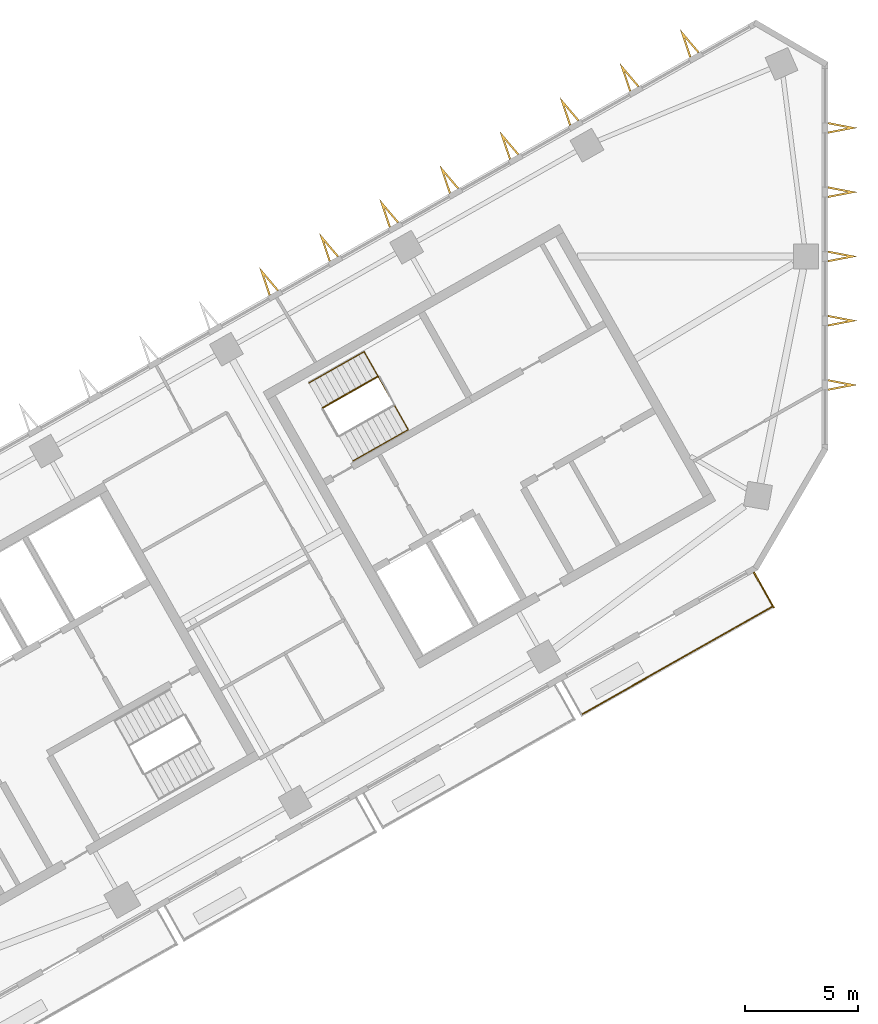
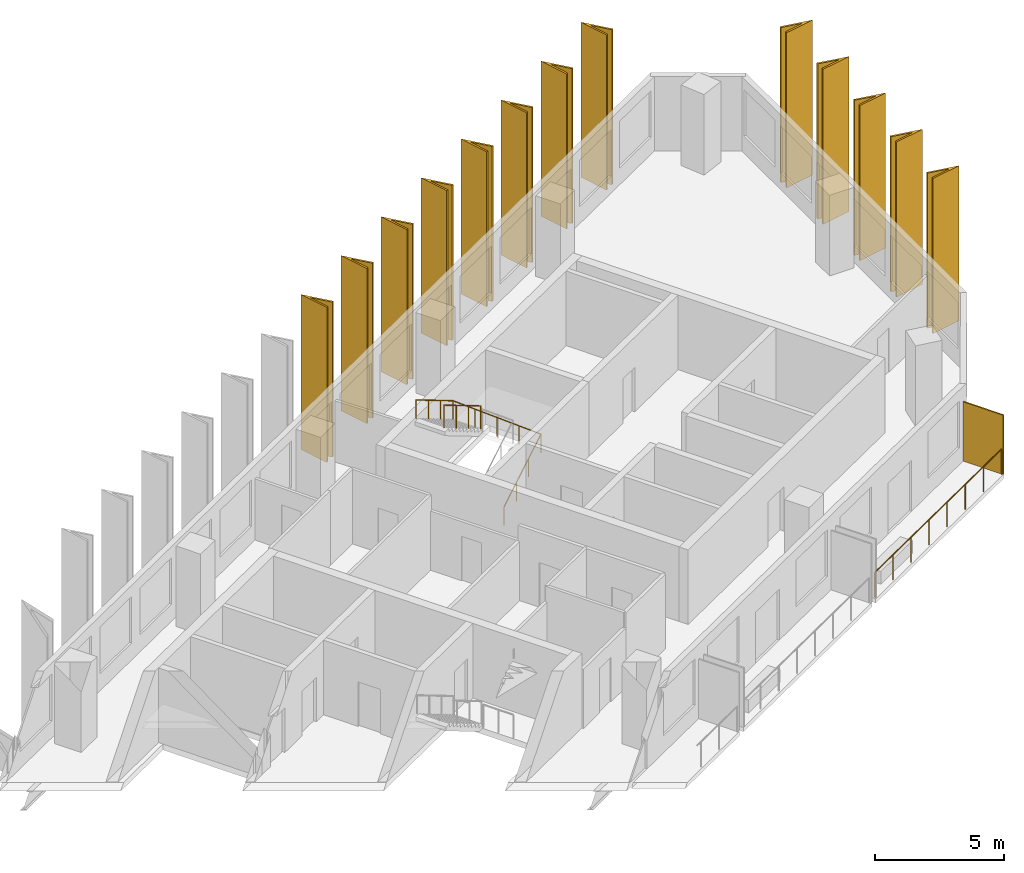
# One storey, part 7 of 8: 14 shading devices, 3 railings.
"""IFC4 building model written with IfcOpenShell, lengths in metres."""

from ifc_helpers import new_model, si_unit, direction, frame, origin, origin_2d, place, context, subcontext, project, spatial, polyline, rectangle, circle, outline, extrude, material, layer, layer_set, type_object, element, save


model = new_model("IFC4")

# Units and contexts
model_context = context("Model", 3, precision=1e-05, world=origin(), true_north=direction((0.0, 1.0)))
body_context = subcontext(model_context, "Body", "Model", "MODEL_VIEW")
ifc_project = project(units=[si_unit("LENGTHUNIT", "METRE"), si_unit("AREAUNIT", "SQUARE_METRE"), si_unit("VOLUMEUNIT", "CUBIC_METRE"), si_unit("PLANEANGLEUNIT", "RADIAN"), si_unit("MASSUNIT", "GRAM", prefix="KILO")], contexts=[model_context])

# Site, building, storey
site_placement = place(None, origin())
site = spatial("IfcSite", under=ifc_project, at=site_placement, CompositionType="ELEMENT")
building_placement = place(site_placement, origin())
building = spatial("IfcBuilding", under=site, at=building_placement, Name="Binnacle Exchange Tower", CompositionType="ELEMENT")
storey_placement = place(building_placement, frame((0.0, 0.0, 270.300048828125)))
storey = spatial("IfcBuildingStorey", under=building, at=storey_placement, Name="L60", CompositionType="ELEMENT", Elevation=270.300048828125)

# Railing
ifc_material_1 = material(Name="Bronze anodised aluminium frame", Category="aluminium")
railing_type_1 = type_object("IfcRailingType", Name="GUARD 1200", PredefinedType="GUARDRAIL", material=ifc_material_1)
railing_1_placement = place(storey_placement, frame((-10.7177734375, 39.81640625, 0.0)))
element("IfcRailing", 1, at=railing_1_placement, inside=storey, type_object=railing_type_1, Name="Balcony guard H07-B03 L60", PredefinedType="GUARDRAIL", context=body_context, shape_type="SweptSolid", body=[
    extrude(circle(Radius=0.02392578125, at=origin_2d()), frame((0.0, 0.0, 1.17578125), z_axis=(0.870353035673, 0.492428262079, 0.0), x_axis=(-0.492428262079, 0.870353035673, 0.0)), (0.0, 0.0, 1.0), 9.64794921875),
    extrude(circle(Radius=0.02099609375, at=origin_2d()), origin(), (0.0, 0.0, 1.0), 1.15185546875),
    extrude(circle(Radius=0.02099609375, at=origin_2d()), frame((1.19970703125, 0.6787109375, 0.0)), (0.0, 0.0, 1.0), 1.15185546875),
    extrude(circle(Radius=0.02099609375, at=origin_2d()), frame((2.399169921875, 1.357421875, 0.0)), (0.0, 0.0, 1.0), 1.15185546875),
    extrude(circle(Radius=0.02099609375, at=origin_2d()), frame((3.598876953125, 2.0361328125, 0.0)), (0.0, 0.0, 1.0), 1.15185546875),
    extrude(circle(Radius=0.02099609375, at=origin_2d()), frame((4.79833984375, 2.71484375, 0.0)), (0.0, 0.0, 1.0), 1.15185546875),
    extrude(circle(Radius=0.02099609375, at=origin_2d()), frame((5.998046875, 3.3935546875, 0.0)), (0.0, 0.0, 1.0), 1.15185546875),
    extrude(circle(Radius=0.02099609375, at=origin_2d()), frame((7.197509765625, 4.072265625, 0.0)), (0.0, 0.0, 1.0), 1.15185546875),
    extrude(circle(Radius=0.02099609375, at=origin_2d()), frame((8.397216796875, 4.7509765625, 0.0)), (0.0, 0.0, 1.0), 1.15185546875),
])

# Shading device
ifc_material_2 = material(Name="Bronze aluminium louvre", Category="aluminium")
ifc_layer = layer(ifc_material_2, 0.06005859375)
ifc_layer_set = layer_set([ifc_layer], Name="PLANTED SCREEN 60x2800")
shading_device_type_1 = type_object("IfcShadingDeviceType", Name="PLANTED SCREEN 60x2800", PredefinedType="USERDEFINED", material=ifc_layer_set)
shading_device_1_placement = place(storey_placement, frame((-2.697998046875, 45.2958984375, 0.0), z_axis=(0.0, 0.0, 1.0), x_axis=(0.87035569594, 0.492423560103, 0.0)))
element("IfcShadingDevice", 2, at=shading_device_1_placement, inside=storey, type_object=shading_device_type_1, Name="Planted screen H07-B03b L60", ObjectType="SCREEN", PredefinedType="USERDEFINED", context=body_context, shape_type="SweptSolid", body=[
    extrude(rectangle(XDim=0.06005859375, YDim=1.800048828125, at=origin_2d()), origin(), (0.0, 0.0, 1.0), 2.800048828125),
])

# Railings
ifc_material_3 = material(Name="Steel guard rail", Category="steel")
railing_type_2 = type_object("IfcRailingType", Name="STAIR GUARD 1100", PredefinedType="GUARDRAIL", material=ifc_material_3)
railing_2_placement = place(storey_placement, frame((-19.70068359375, 54.71337890625, 2.07275390625)))
element("IfcRailing", 3, at=railing_2_placement, inside=storey, type_object=railing_type_2, Name="L60 STC1 stair guard 2", PredefinedType="GUARDRAIL", context=body_context, shape_type="SweptSolid", body=[
    extrude(circle(Radius=0.02392578125, at=origin_2d()), frame((0.0, 0.0, 1.076171875), z_axis=(-0.740760999345, -0.419062048017, 0.525033467278), x_axis=(0.492387636113, -0.870376019777, 0.0)), (0.0, 0.0, 1.0), 3.289794921875),
    extrude(circle(Radius=0.02099609375, at=origin_2d()), origin(), (0.0, 0.0, 1.0), 1.052001953125),
    extrude(circle(Radius=0.02099609375, at=origin_2d()), frame((-0.812255859375, -0.45947265625, 0.57568359375)), (0.0, 0.0, 1.0), 1.052001953125),
    extrude(circle(Radius=0.02099609375, at=origin_2d()), frame((-1.624755859375, -0.919189453125, 1.151611328125)), (0.0, 0.0, 1.0), 1.052001953125),
    extrude(circle(Radius=0.02099609375, at=origin_2d()), frame((-2.43701171875, -1.378662109375, 1.727294921875)), (0.0, 0.0, 1.0), 1.052001953125),
])
ifc_material_4 = material(Name="Steel handrail", Category="steel")
railing_type_3 = type_object("IfcRailingType", Name="STAIR HANDRAIL 900", PredefinedType="HANDRAIL", material=ifc_material_4)
railing_3_placement = place(storey_placement, frame((-20.808349609375, 50.984619140625, 0.172607421875)))
element("IfcRailing", 4, at=railing_3_placement, inside=storey, type_object=railing_type_3, Name="L60 STC1 stair handrail 1", PredefinedType="HANDRAIL", context=body_context, shape_type="SweptSolid", body=[
    extrude(circle(Radius=0.02392578125, at=origin_2d()), frame((0.0, 0.0, 0.8759765625), z_axis=(0.740737961854, 0.419123222656, 0.525017138862), x_axis=(-0.492453686477, 0.870338650569, 0.0)), (0.0, 0.0, 1.0), 3.2900390625),
    extrude(circle(Radius=0.02392578125, at=origin_2d()), frame((2.43701171875, 1.37890625, 2.60302734375), z_axis=(-0.491969260701, 0.869514140822, 0.043719623017), x_axis=(-0.87034633103, -0.492440112159, 0.0)), (0.0, 0.0, 1.0), 3.95361328125),
    extrude(circle(Radius=0.02392578125, at=origin_2d()), frame((0.491943359375, 4.816650390625, 2.77587890625), z_axis=(-0.740760999345, -0.419062048017, 0.525033467278), x_axis=(0.492387636113, -0.870376019777, 0.0)), (0.0, 0.0, 1.0), 3.289794921875),
    extrude(circle(Radius=0.02099609375, at=origin_2d()), origin(), (0.0, 0.0, 1.0), 0.851806640625),
    extrude(circle(Radius=0.02099609375, at=origin_2d()), frame((0.812255859375, 0.459716796875, 0.57568359375)), (0.0, 0.0, 1.0), 0.851806640625),
    extrude(circle(Radius=0.02099609375, at=origin_2d()), frame((1.624755859375, 0.919189453125, 1.151611328125)), (0.0, 0.0, 1.0), 0.851806640625),
    extrude(circle(Radius=0.02099609375, at=origin_2d()), frame((2.43701171875, 1.37890625, 1.727294921875)), (0.0, 0.0, 1.0), 0.851806640625),
    extrude(circle(Radius=0.02099609375, at=origin_2d()), frame((1.95068359375, 2.23828125, 1.7705078125)), (0.0, 0.0, 1.0), 0.851806640625),
    extrude(circle(Radius=0.02099609375, at=origin_2d()), frame((1.46435546875, 3.09765625, 1.813720703125)), (0.0, 0.0, 1.0), 0.851806640625),
    extrude(circle(Radius=0.02099609375, at=origin_2d()), frame((0.978271484375, 3.957275390625, 1.85693359375)), (0.0, 0.0, 1.0), 0.851806640625),
    extrude(circle(Radius=0.02099609375, at=origin_2d()), frame((0.491943359375, 4.816650390625, 1.900146484375)), (0.0, 0.0, 1.0), 0.851806640625),
    extrude(circle(Radius=0.02099609375, at=origin_2d()), frame((-0.3203125, 4.357177734375, 2.475830078125)), (0.0, 0.0, 1.0), 0.851806640625),
    extrude(circle(Radius=0.02099609375, at=origin_2d()), frame((-1.1328125, 3.8974609375, 3.0517578125)), (0.0, 0.0, 1.0), 0.851806640625),
    extrude(circle(Radius=0.02099609375, at=origin_2d()), frame((-1.945068359375, 3.43798828125, 3.62744140625)), (0.0, 0.0, 1.0), 0.851806640625),
])

# Shading devices
ifc_material_5 = material(Name="Bronze aluminium cladding", Category="aluminium")
shading_device_type_2 = type_object("IfcShadingDeviceType", Name="V FIN 1300 DEEP x 7320 HIGH", PredefinedType="USERDEFINED", material=ifc_material_5)
shading_device_2_placement = place(storey_placement, origin())
element("IfcShadingDevice", 5, at=shading_device_2_placement, inside=storey, type_object=shading_device_type_2, Name="V fin FN-H01-01 L60", ObjectType="FIN", PredefinedType="USERDEFINED", context=body_context, shape_type="SweptSolid", body=[
    extrude(outline(polyline([(0.125, 54.083251953125), (1.425048828125, 54.333251953125), (0.125, 54.583251953125), (0.125, 54.501708984375), (1.00146484375, 54.333251953125), (0.125, 54.164794921875), (0.125, 54.083251953125)])), origin(), (0.0, 0.0, 1.0), 7.320068359375),
])
shading_device_3_placement = place(storey_placement, origin())
element("IfcShadingDevice", 6, at=shading_device_3_placement, inside=storey, type_object=shading_device_type_2, Name="V fin FN-H01-02 L60", ObjectType="FIN", PredefinedType="USERDEFINED", context=body_context, shape_type="SweptSolid", body=[
    extrude(outline(polyline([(0.125, 56.916748046875), (1.425048828125, 57.166748046875), (0.125, 57.416748046875), (0.125, 57.335205078125), (1.00146484375, 57.166748046875), (0.125, 56.998291015625), (0.125, 56.916748046875)])), origin(), (0.0, 0.0, 1.0), 7.320068359375),
])
shading_device_4_placement = place(storey_placement, origin())
element("IfcShadingDevice", 7, at=shading_device_4_placement, inside=storey, type_object=shading_device_type_2, Name="V fin FN-H01-03 L60", ObjectType="FIN", PredefinedType="USERDEFINED", context=body_context, shape_type="SweptSolid", body=[
    extrude(outline(polyline([(0.125, 59.75), (1.425048828125, 60.0), (0.125, 60.25), (0.125, 60.16845703125), (1.00146484375, 60.0), (0.125, 59.83154296875), (0.125, 59.75)])), origin(), (0.0, 0.0, 1.0), 7.320068359375),
])
shading_device_5_placement = place(storey_placement, origin())
element("IfcShadingDevice", 8, at=shading_device_5_placement, inside=storey, type_object=shading_device_type_2, Name="V fin FN-H01-04 L60", ObjectType="FIN", PredefinedType="USERDEFINED", context=body_context, shape_type="SweptSolid", body=[
    extrude(outline(polyline([(0.125, 62.583251953125), (1.425048828125, 62.833251953125), (0.125, 63.083251953125), (0.125, 63.001708984375), (1.00146484375, 62.833251953125), (0.125, 62.664794921875), (0.125, 62.583251953125)])), origin(), (0.0, 0.0, 1.0), 7.320068359375),
])
shading_device_6_placement = place(storey_placement, origin())
element("IfcShadingDevice", 9, at=shading_device_6_placement, inside=storey, type_object=shading_device_type_2, Name="V fin FN-H01-05 L60", ObjectType="FIN", PredefinedType="USERDEFINED", context=body_context, shape_type="SweptSolid", body=[
    extrude(outline(polyline([(0.125, 65.416748046875), (1.425048828125, 65.666748046875), (0.125, 65.916748046875), (0.125, 65.835205078125), (1.00146484375, 65.666748046875), (0.125, 65.498291015625), (0.125, 65.416748046875)])), origin(), (0.0, 0.0, 1.0), 7.320068359375),
])
shading_device_7_placement = place(storey_placement, origin())
element("IfcShadingDevice", 10, at=shading_device_7_placement, inside=storey, type_object=shading_device_type_2, Name="V fin FN-H03-01 L60", ObjectType="FIN", PredefinedType="USERDEFINED", context=body_context, shape_type="SweptSolid", body=[
    extrude(outline(polyline([(-5.538818359375, 69.009765625), (-6.396728515625, 70.018310546875), (-5.97412109375, 68.763671875), (-5.9033203125, 68.8037109375), (-6.18798828125, 69.6494140625), (-5.60986328125, 68.9697265625), (-5.538818359375, 69.009765625)])), origin(), (0.0, 0.0, 1.0), 7.320068359375),
])
shading_device_8_placement = place(storey_placement, origin())
element("IfcShadingDevice", 11, at=shading_device_8_placement, inside=storey, type_object=shading_device_type_2, Name="V fin FN-H03-02 L60", ObjectType="FIN", PredefinedType="USERDEFINED", context=body_context, shape_type="SweptSolid", body=[
    extrude(outline(polyline([(-8.187744140625, 67.51123046875), (-9.04541015625, 68.51953125), (-8.622802734375, 67.264892578125), (-8.552001953125, 67.30517578125), (-8.8369140625, 68.15087890625), (-8.258544921875, 67.47119140625), (-8.187744140625, 67.51123046875)])), origin(), (0.0, 0.0, 1.0), 7.320068359375),
])
shading_device_9_placement = place(storey_placement, origin())
element("IfcShadingDevice", 12, at=shading_device_9_placement, inside=storey, type_object=shading_device_type_2, Name="V fin FN-H03-03 L60", ObjectType="FIN", PredefinedType="USERDEFINED", context=body_context, shape_type="SweptSolid", body=[
    extrude(outline(polyline([(-10.83642578125, 66.0126953125), (-11.694091796875, 67.02099609375), (-11.271484375, 65.766357421875), (-11.20068359375, 65.806396484375), (-11.485595703125, 66.65234375), (-10.9072265625, 65.972412109375), (-10.83642578125, 66.0126953125)])), origin(), (0.0, 0.0, 1.0), 7.320068359375),
])
shading_device_10_placement = place(storey_placement, origin())
element("IfcShadingDevice", 13, at=shading_device_10_placement, inside=storey, type_object=shading_device_type_2, Name="V fin FN-H03-04 L60", ObjectType="FIN", PredefinedType="USERDEFINED", context=body_context, shape_type="SweptSolid", body=[
    extrude(outline(polyline([(-13.485107421875, 64.51416015625), (-14.343017578125, 65.5224609375), (-13.92041015625, 64.267822265625), (-13.849365234375, 64.30810546875), (-14.13427734375, 65.15380859375), (-13.555908203125, 64.47412109375), (-13.485107421875, 64.51416015625)])), origin(), (0.0, 0.0, 1.0), 7.320068359375),
])
shading_device_11_placement = place(storey_placement, origin())
element("IfcShadingDevice", 14, at=shading_device_11_placement, inside=storey, type_object=shading_device_type_2, Name="V fin FN-H03-05 L60", ObjectType="FIN", PredefinedType="USERDEFINED", context=body_context, shape_type="SweptSolid", body=[
    extrude(outline(polyline([(-16.1337890625, 63.015380859375), (-16.99169921875, 64.02392578125), (-16.569091796875, 62.769287109375), (-16.498046875, 62.809326171875), (-16.782958984375, 63.6552734375), (-16.20458984375, 62.975341796875), (-16.1337890625, 63.015380859375)])), origin(), (0.0, 0.0, 1.0), 7.320068359375),
])
shading_device_12_placement = place(storey_placement, origin())
element("IfcShadingDevice", 15, at=shading_device_12_placement, inside=storey, type_object=shading_device_type_2, Name="V fin FN-H03-06 L60", ObjectType="FIN", PredefinedType="USERDEFINED", context=body_context, shape_type="SweptSolid", body=[
    extrude(outline(polyline([(-18.78271484375, 61.516845703125), (-19.640380859375, 62.525390625), (-19.2177734375, 61.270751953125), (-19.14697265625, 61.310791015625), (-19.431640625, 62.156494140625), (-18.853515625, 61.476806640625), (-18.78271484375, 61.516845703125)])), origin(), (0.0, 0.0, 1.0), 7.320068359375),
])
shading_device_13_placement = place(storey_placement, origin())
element("IfcShadingDevice", 16, at=shading_device_13_placement, inside=storey, type_object=shading_device_type_2, Name="V fin FN-H03-07 L60", ObjectType="FIN", PredefinedType="USERDEFINED", context=body_context, shape_type="SweptSolid", body=[
    extrude(outline(polyline([(-21.431396484375, 60.018310546875), (-22.2890625, 61.026611328125), (-21.866455078125, 59.772216796875), (-21.795654296875, 59.812255859375), (-22.080322265625, 60.657958984375), (-21.502197265625, 59.978271484375), (-21.431396484375, 60.018310546875)])), origin(), (0.0, 0.0, 1.0), 7.320068359375),
])
shading_device_14_placement = place(storey_placement, origin())
element("IfcShadingDevice", 17, at=shading_device_14_placement, inside=storey, type_object=shading_device_type_2, Name="V fin FN-H03-08 L60", ObjectType="FIN", PredefinedType="USERDEFINED", context=body_context, shape_type="SweptSolid", body=[
    extrude(outline(polyline([(-24.080078125, 58.519775390625), (-24.93798828125, 59.528076171875), (-24.515380859375, 58.2734375), (-24.4443359375, 58.313720703125), (-24.729248046875, 59.159423828125), (-24.15087890625, 58.4794921875), (-24.080078125, 58.519775390625)])), origin(), (0.0, 0.0, 1.0), 7.320068359375),
])

save(model, "model.ifc")
